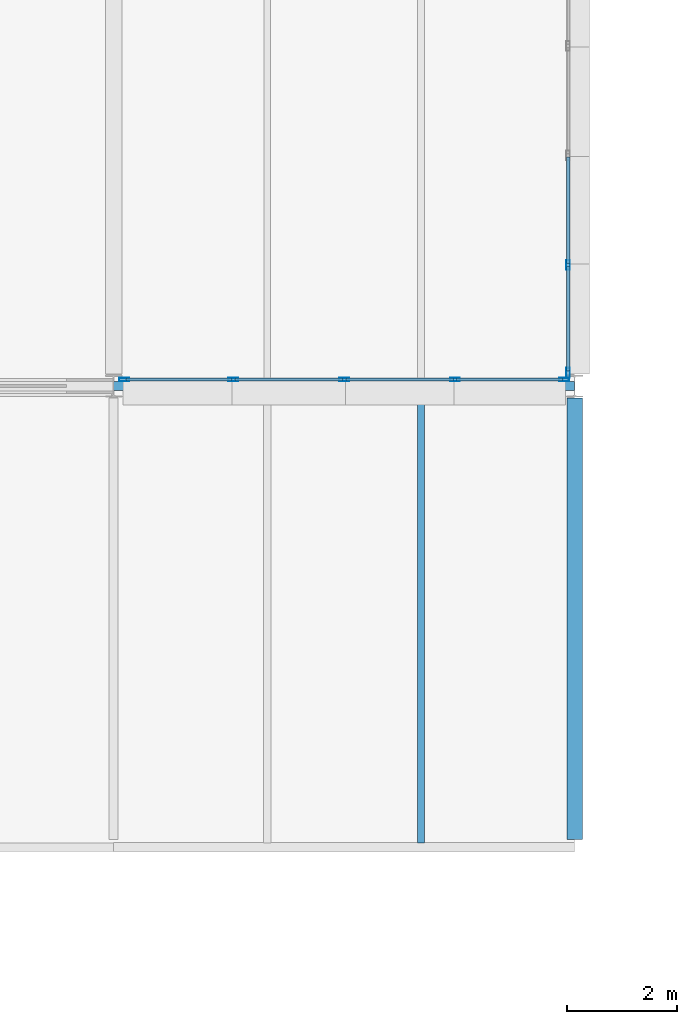
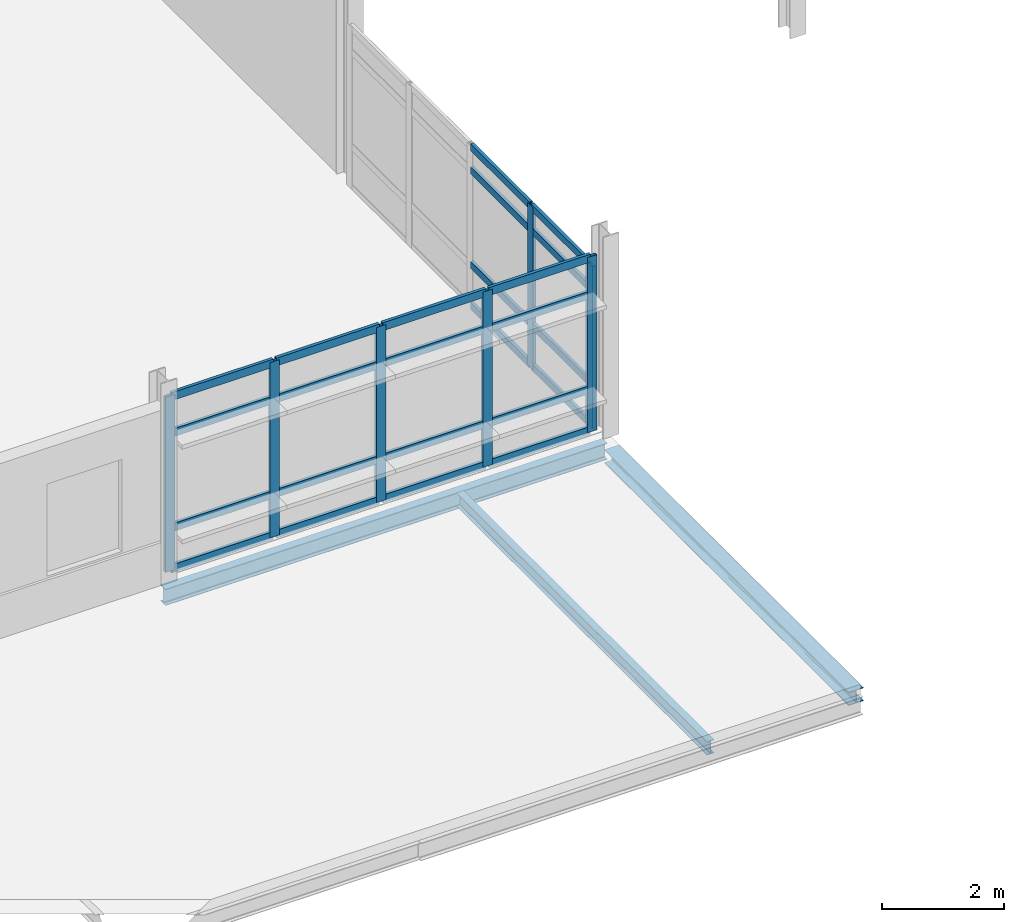
# One storey, part 43 of 151: 31 members, 3 beams, 2 elements without a shape of their own.
"""IFC4 building model written with IfcOpenShell, lengths in metres."""

import ifcopenshell
import ifcopenshell.guid

model = None  # the IFC model being written
_history = None  # IfcOwnerHistory: only IFC2X3 demands one
_inside = {}  # id of a spatial element -> (the spatial element, [elements in it])
_under = {}  # id of a project, library or spatial element -> (it, [spatial elements below it])
_declared = {}  # id of a project -> (the project, [libraries it declares])
_typed = {}  # id of a type object -> (the type object, [elements of that type])
_made_of = {}  # id of a material, layer set ... -> (it, [elements and type objects made of it])


def new_model(schema):
    """Start an empty IFC model of exactly this schema.

    Asked for "IFC4X3", IfcOpenShell would pick the latest addendum, in which some entities
    have other attributes; the version numbers below select the first issue.
    IFC2X3 requires an IfcOwnerHistory on every rooted entity: one is made here for all.
    """
    global model, _history
    if schema == "IFC4X3":
        model = ifcopenshell.file(schema_version=(4, 3, 0, 0))
    else:
        model = ifcopenshell.file(schema=schema)
    _inside.clear()
    _under.clear()
    _declared.clear()
    _typed.clear()
    _made_of.clear()
    _history = None
    if model.schema == "IFC2X3":
        org = make("IfcOrganization", Name="unknown")
        user = make(
            "IfcPersonAndOrganization",
            ThePerson=make("IfcPerson", FamilyName="unknown"),
            TheOrganization=org,
        )
        app = make(
            "IfcApplication",
            ApplicationDeveloper=org,
            Version="unknown",
            ApplicationFullName="unknown",
            ApplicationIdentifier="unknown",
        )
        _history = make(
            "IfcOwnerHistory",
            OwningUser=user,
            OwningApplication=app,
            ChangeAction="ADDED",
            CreationDate=0,
        )
    return model


def make(cls, **values):
    """One entity of the class cls with the attributes given. An attribute that is None is left unset."""
    return model.create_entity(
        cls, **{name: value for name, value in values.items() if value is not None}
    )


def rooted(cls, **values):
    """An entity with a GlobalId (a new one), such as an element, a storey or a relation."""
    return make(cls, GlobalId=ifcopenshell.guid.new(), OwnerHistory=_history, **values)


def si_unit(unit_type, name, prefix=None):
    """IfcSIUnit, for example si_unit("LENGTHUNIT", "METRE", prefix="MILLI")."""
    return make("IfcSIUnit", UnitType=unit_type, Prefix=prefix, Name=name)


def assignment(units):
    """IfcUnitAssignment: the units of a project."""
    return None if units is None else make("IfcUnitAssignment", Units=units)


def point(xyz):
    """IfcCartesianPoint."""
    return None if xyz is None else make("IfcCartesianPoint", Coordinates=xyz)


def direction(xyz):
    """IfcDirection."""
    return None if xyz is None else make("IfcDirection", DirectionRatios=xyz)


def frame(location, z_axis=None, x_axis=None):
    """IfcAxis2Placement3D, a coordinate frame: its origin and axes. An axis left out is left unset."""
    return make(
        "IfcAxis2Placement3D",
        Location=point(location),
        Axis=direction(z_axis),
        RefDirection=direction(x_axis),
    )


def frame_2d(location, x_axis=None):
    """IfcAxis2Placement2D, a coordinate frame in the plane: its origin and x axis."""
    return make(
        "IfcAxis2Placement2D", Location=point(location), RefDirection=direction(x_axis)
    )


def origin():
    """The frame at (0, 0, 0) with its axes left unset."""
    return frame((0.0, 0.0, 0.0))


def origin_2d():
    """The frame at (0, 0) in the plane with its x axis left unset."""
    return frame_2d((0.0, 0.0))


def place(relative_to, where):
    """IfcLocalPlacement: puts the frame where relative to a parent placement (None: the world)."""
    return make(
        "IfcLocalPlacement", PlacementRelTo=relative_to, RelativePlacement=where
    )


def context(
    kind, dimensions, precision=None, world=None, true_north=None, identifier=None
):
    """IfcGeometricRepresentationContext, for example the 3D "Model" context."""
    return make(
        "IfcGeometricRepresentationContext",
        ContextIdentifier=identifier,
        ContextType=kind,
        CoordinateSpaceDimension=dimensions,
        Precision=precision,
        WorldCoordinateSystem=world,
        TrueNorth=true_north,
    )


def subcontext(parent, identifier, kind, view, scale=None):
    """IfcGeometricRepresentationSubContext, for example "Body" below "Model"."""
    return make(
        "IfcGeometricRepresentationSubContext",
        ContextIdentifier=identifier,
        ContextType=kind,
        ParentContext=parent,
        TargetScale=scale,
        TargetView=view,
    )


def project(units=None, contexts=None):
    """IfcProject with its units and contexts."""
    return rooted(
        "IfcProject",
        Name="project",
        RepresentationContexts=contexts,
        UnitsInContext=assignment(units),
    )


def spatial(cls, under=None, at=None, **own):
    """A site, building, storey or space (cls), placed at a placement, below another one or the project."""
    s = rooted(cls, ObjectPlacement=at, **own)
    if under is not None:
        _under.setdefault(under.id(), (under, []))[1].append(s)
    return s


def profile(cls, at=None, kind="AREA", **sizes):
    """A parametric profile (cls). Its sizes go by their IFC names, for example OverallWidth=200.0."""
    return make(cls, ProfileType=kind, Position=at, **sizes)


def hollow_rectangle(**sizes):
    """IfcRectangleHollowProfileDef."""
    return profile("IfcRectangleHollowProfileDef", **sizes)


def i_section(**sizes):
    """IfcIShapeProfileDef."""
    return profile("IfcIShapeProfileDef", **sizes)


def extrude(swept, where, along, depth):
    """IfcExtrudedAreaSolid: the profile swept, set in the frame where, extruded along a direction by depth."""
    return make(
        "IfcExtrudedAreaSolid",
        SweptArea=swept,
        Position=where,
        ExtrudedDirection=direction(along),
        Depth=depth,
    )


def shape(context_of_items, identifier, shape_type, items):
    """IfcShapeRepresentation: the items that make up one representation, for example the "Body"."""
    return make(
        "IfcShapeRepresentation",
        ContextOfItems=context_of_items,
        RepresentationIdentifier=identifier,
        RepresentationType=shape_type,
        Items=items,
    )


def material(Name=None, Category=None):
    """IfcMaterial."""
    return make("IfcMaterial", Name=Name, Category=Category)


def material_profile(
    of_material, cross_section, Name=None, Category=None, Priority=None
):
    """IfcMaterialProfile: a cross section and its material."""
    return make(
        "IfcMaterialProfile",
        Name=Name,
        Material=of_material,
        Profile=cross_section,
        Priority=Priority,
        Category=Category,
    )


def profile_set(profiles, Name=None, composite=None):
    """IfcMaterialProfileSet."""
    return make(
        "IfcMaterialProfileSet",
        Name=Name,
        MaterialProfiles=profiles,
        CompositeProfile=composite,
    )


def made_of(thing, what):
    """Note that an element or type object is made of a material, layer set ...; save() writes the relation."""
    if what is not None:
        _made_of.setdefault(what.id(), (what, []))[1].append(thing)
    return thing


def type_object(cls, material=None, **own):
    """A type object (cls), such as IfcWallType, which elements share."""
    return made_of(rooted(cls, **own), material)


def element(
    cls,
    number,
    at=None,
    inside=None,
    cuts=None,
    type_object=None,
    material=None,
    context=None,
    identifier="Body",
    shape_type=None,
    held_by="IfcProductDefinitionShape",
    body=None,
    shapes=None,
    **own,
):
    """One element of the class cls, such as IfcWall. Its Tag is "e" and its number.

    at: its placement. inside: the storey or other place that contains it. cuts: it is an
    opening in that element (IfcRelVoidsElement). A single representation is given by context,
    identifier, shape_type and body (its items); several are given by shapes. held_by: the class
    of the entity that holds the representations. save() writes the other relations.
    """
    e = rooted(cls, Tag="e%d" % number, ObjectPlacement=at, **own)
    if body is not None:
        shapes = [shape(context, identifier, shape_type, body)]
    if shapes is not None:
        e.Representation = make(held_by, Representations=shapes)
    if inside is not None:
        _inside.setdefault(inside.id(), (inside, []))[1].append(e)
    if cuts is not None:
        rooted(
            "IfcRelVoidsElement", RelatingBuildingElement=cuts, RelatedOpeningElement=e
        )
    if type_object is not None:
        _typed.setdefault(type_object.id(), (type_object, []))[1].append(e)
    return made_of(e, material)


def aggregate(whole, parts):
    """IfcRelAggregates: a whole, such as a stair, and the parts it consists of."""
    return rooted("IfcRelAggregates", RelatingObject=whole, RelatedObjects=parts)


def save(model, path):
    """Write the relations noted so far, then the file.

    IfcRelAggregates (storeys below a building ...), IfcRelContainedInSpatialStructure (elements
    in a storey), IfcRelDefinesByType, IfcRelAssociatesMaterial and IfcRelDeclares: one each for
    every whole, place, type object, material and project.
    """
    for whole, parts in _under.values():
        aggregate(whole, parts)
    for where, things in _inside.values():
        rooted(
            "IfcRelContainedInSpatialStructure",
            RelatedElements=things,
            RelatingStructure=where,
        )
    for kind, things in _typed.values():
        rooted("IfcRelDefinesByType", RelatedObjects=things, RelatingType=kind)
    for what, things in _made_of.values():
        rooted("IfcRelAssociatesMaterial", RelatedObjects=things, RelatingMaterial=what)
    for by, libraries in _declared.values():
        rooted("IfcRelDeclares", RelatingContext=by, RelatedDefinitions=libraries)
    model.write(path)


model = new_model("IFC4")

# Units and contexts
model_context = context("Model", 3, precision=1e-05, world=origin(), true_north=direction((0.0, 1.0)))
body_context = subcontext(model_context, "Body", "Model", "MODEL_VIEW")
ifc_project = project(units=[si_unit("LENGTHUNIT", "METRE"), si_unit("AREAUNIT", "SQUARE_METRE"), si_unit("VOLUMEUNIT", "CUBIC_METRE"), si_unit("PLANEANGLEUNIT", "RADIAN"), si_unit("MASSUNIT", "GRAM", prefix="KILO")], contexts=[model_context])

# Site, building, storey
site_placement = place(None, origin())
site = spatial("IfcSite", under=ifc_project, at=site_placement, CompositionType="ELEMENT")
building_placement = place(site_placement, origin())
building = spatial("IfcBuilding", under=site, at=building_placement, Name="Mersafa Astral City Hall", CompositionType="ELEMENT")
storey_placement = place(building_placement, frame((0.0, 0.0, 9.89990234375)))
storey = spatial("IfcBuildingStorey", under=building, at=storey_placement, Name="L02", CompositionType="ELEMENT", Elevation=9.89990234375)

# Curtain wall, members
ifc_material_1 = material(Name="Anodised bronze aluminium framing", Category="aluminium")
curtain_wall_type_1 = type_object("IfcCurtainWallType", Name="ENV-CW-5", PredefinedType="USERDEFINED", material=ifc_material_1)
curtain_wall_1_placement = place(storey_placement, origin())
curtain_wall_1 = element("IfcCurtainWall", 1, at=curtain_wall_1_placement, inside=storey, type_object=curtain_wall_type_1, Name="L02 Unitised solar curtain wall 136", ObjectType="UNITISED CURTAIN WALL", PredefinedType="USERDEFINED")
ifc_material_profile_1 = material_profile(ifc_material_1, hollow_rectangle(XDim=0.06005859375, YDim=0.179931640625, WallThickness=0.00390625, at=origin_2d()), Name="RHS 60x180x4")
ifc_profile_set_1 = profile_set([ifc_material_profile_1], Name="Anodised bronze aluminium framing")
member_type_1 = type_object("IfcMemberType", Name="ENV-CW-MUL-1", PredefinedType="MULLION", material=ifc_profile_set_1)
member_1_placement = place(storey_placement, frame((33.7919921875, 92.52001953125, -0.001953125), z_axis=(0.0, 0.0, 1.0), x_axis=(0.0, 1.0, 0.0)))
member_1 = element("IfcMember", 2, at=member_1_placement, type_object=member_type_1, Name="CW-5 mullion 1", PredefinedType="MULLION", context=body_context, shape_type="SweptSolid", body=[
    extrude(hollow_rectangle(XDim=0.06005859375, YDim=0.179931640625, WallThickness=0.00390625, at=origin_2d()), origin(), (0.0, 0.0, 1.0), 3.51904296875),
])
member_2_placement = place(storey_placement, frame((35.781005859375, 92.52001953125, -0.001953125), z_axis=(0.0, 0.0, 1.0), x_axis=(0.0, 1.0, 0.0)))
member_2 = element("IfcMember", 3, at=member_2_placement, type_object=member_type_1, Name="CW-5 mullion 2", PredefinedType="MULLION", context=body_context, shape_type="SweptSolid", body=[
    extrude(hollow_rectangle(XDim=0.06005859375, YDim=0.179931640625, WallThickness=0.00390625, at=origin_2d()), origin(), (0.0, 0.0, 1.0), 3.51904296875),
])
member_3_placement = place(storey_placement, frame((37.800048828125, 92.52001953125, -0.001953125), z_axis=(0.0, 0.0, 1.0), x_axis=(0.0, 1.0, 0.0)))
member_3 = element("IfcMember", 4, at=member_3_placement, type_object=member_type_1, Name="CW-5 mullion 3", PredefinedType="MULLION", context=body_context, shape_type="SweptSolid", body=[
    extrude(hollow_rectangle(XDim=0.06005859375, YDim=0.179931640625, WallThickness=0.00390625, at=origin_2d()), origin(), (0.0, 0.0, 1.0), 3.51904296875),
])
member_4_placement = place(storey_placement, frame((39.819091796875, 92.52001953125, -0.001953125), z_axis=(0.0, 0.0, 1.0), x_axis=(0.0, 1.0, 0.0)))
member_4 = element("IfcMember", 5, at=member_4_placement, type_object=member_type_1, Name="CW-5 mullion 4", PredefinedType="MULLION", context=body_context, shape_type="SweptSolid", body=[
    extrude(hollow_rectangle(XDim=0.06005859375, YDim=0.179931640625, WallThickness=0.00390625, at=origin_2d()), origin(), (0.0, 0.0, 1.0), 3.51904296875),
])
member_5_placement = place(storey_placement, frame((41.80810546875, 92.52001953125, -0.001953125), z_axis=(0.0, 0.0, 1.0), x_axis=(0.0, 1.0, 0.0)))
member_5 = element("IfcMember", 6, at=member_5_placement, type_object=member_type_1, Name="CW-5 mullion 5", PredefinedType="MULLION", context=body_context, shape_type="SweptSolid", body=[
    extrude(hollow_rectangle(XDim=0.06005859375, YDim=0.179931640625, WallThickness=0.00390625, at=origin_2d()), origin(), (0.0, 0.0, 1.0), 3.51904296875),
])

curtain_wall_type_2 = type_object("IfcCurtainWallType", Name="ENV-CW-6", PredefinedType="USERDEFINED", material=ifc_material_1)
curtain_wall_2_placement = place(storey_placement, origin())
curtain_wall_2 = element("IfcCurtainWall", 7, at=curtain_wall_2_placement, inside=storey, type_object=curtain_wall_type_2, Name="L02 Unitised solar curtain wall 137", ObjectType="UNITISED CURTAIN WALL", PredefinedType="USERDEFINED")
member_6_placement = place(storey_placement, frame((41.8798828125, 92.64208984375, -0.001953125), z_axis=(0.0, 0.0, 1.0), x_axis=(-1.0, 0.0, 0.0)))
member_6 = element("IfcMember", 8, at=member_6_placement, type_object=member_type_1, Name="CW-6 mullion 1", PredefinedType="MULLION", context=body_context, shape_type="SweptSolid", body=[
    extrude(hollow_rectangle(XDim=0.06005859375, YDim=0.179931640625, WallThickness=0.00390625, at=origin_2d()), origin(), (0.0, 0.0, 1.0), 3.2490234375),
])
member_7_placement = place(storey_placement, frame((41.8798828125, 94.60595703125, -0.001953125), z_axis=(0.0, 0.0, 1.0), x_axis=(-1.0, 0.0, 0.0)))
member_7 = element("IfcMember", 9, at=member_7_placement, type_object=member_type_1, Name="CW-6 mullion 2", PredefinedType="MULLION", context=body_context, shape_type="SweptSolid", body=[
    extrude(hollow_rectangle(XDim=0.06005859375, YDim=0.179931640625, WallThickness=0.00390625, at=origin_2d()), origin(), (0.0, 0.0, 1.0), 3.2490234375),
])
ifc_material_profile_2 = material_profile(ifc_material_1, hollow_rectangle(XDim=0.06005859375, YDim=0.139892578125, WallThickness=0.00390625, at=origin_2d()), Name="RHS 60x140x4")
ifc_profile_set_2 = profile_set([ifc_material_profile_2], Name="Anodised bronze aluminium framing")
member_type_2 = type_object("IfcMemberType", Name="ENV-CW-TRN-1", PredefinedType="USERDEFINED", material=ifc_profile_set_2)
member_8_placement = place(storey_placement, frame((41.8798828125, 92.672119140625, 0.028076171875), z_axis=(0.0, 1.0, 0.0), x_axis=(-1.0, 0.0, 0.0)))
member_8 = element("IfcMember", 10, at=member_8_placement, type_object=member_type_2, Name="CW-6 transom 1.1", ObjectType="TRANSOM", PredefinedType="USERDEFINED", context=body_context, shape_type="SweptSolid", body=[
    extrude(hollow_rectangle(XDim=0.06005859375, YDim=0.139892578125, WallThickness=0.00390625, at=origin_2d()), origin(), (0.0, 0.0, 1.0), 1.90380859375),
])
member_9_placement = place(storey_placement, frame((41.8798828125, 92.672119140625, 0.85009765625), z_axis=(0.0, 1.0, 0.0), x_axis=(-1.0, 0.0, 0.0)))
member_9 = element("IfcMember", 11, at=member_9_placement, type_object=member_type_2, Name="CW-6 transom 1.2", ObjectType="TRANSOM", PredefinedType="USERDEFINED", context=body_context, shape_type="SweptSolid", body=[
    extrude(hollow_rectangle(XDim=0.06005859375, YDim=0.139892578125, WallThickness=0.00390625, at=origin_2d()), origin(), (0.0, 0.0, 1.0), 1.90380859375),
])
member_10_placement = place(storey_placement, frame((41.8798828125, 92.672119140625, 2.75), z_axis=(0.0, 1.0, 0.0), x_axis=(-1.0, 0.0, 0.0)))
member_10 = element("IfcMember", 12, at=member_10_placement, type_object=member_type_2, Name="CW-6 transom 1.3", ObjectType="TRANSOM", PredefinedType="USERDEFINED", context=body_context, shape_type="SweptSolid", body=[
    extrude(hollow_rectangle(XDim=0.06005859375, YDim=0.139892578125, WallThickness=0.00390625, at=origin_2d()), origin(), (0.0, 0.0, 1.0), 1.90380859375),
])
member_11_placement = place(storey_placement, frame((41.8798828125, 92.672119140625, 3.217041015625), z_axis=(0.0, 1.0, 0.0), x_axis=(-1.0, 0.0, 0.0)))
member_11 = element("IfcMember", 13, at=member_11_placement, type_object=member_type_2, Name="CW-6 transom 1.4", ObjectType="TRANSOM", PredefinedType="USERDEFINED", context=body_context, shape_type="SweptSolid", body=[
    extrude(hollow_rectangle(XDim=0.06005859375, YDim=0.139892578125, WallThickness=0.00390625, at=origin_2d()), origin(), (0.0, 0.0, 1.0), 1.90380859375),
])
member_12_placement = place(storey_placement, frame((41.8798828125, 94.635986328125, 0.028076171875), z_axis=(0.0, 1.0, 0.0), x_axis=(-1.0, 0.0, 0.0)))
member_12 = element("IfcMember", 14, at=member_12_placement, type_object=member_type_2, Name="CW-6 transom 2.1", ObjectType="TRANSOM", PredefinedType="USERDEFINED", context=body_context, shape_type="SweptSolid", body=[
    extrude(hollow_rectangle(XDim=0.06005859375, YDim=0.139892578125, WallThickness=0.00390625, at=origin_2d()), origin(), (0.0, 0.0, 1.0), 1.93408203125),
])
member_13_placement = place(storey_placement, frame((41.8798828125, 94.635986328125, 0.85009765625), z_axis=(0.0, 1.0, 0.0), x_axis=(-1.0, 0.0, 0.0)))
member_13 = element("IfcMember", 15, at=member_13_placement, type_object=member_type_2, Name="CW-6 transom 2.2", ObjectType="TRANSOM", PredefinedType="USERDEFINED", context=body_context, shape_type="SweptSolid", body=[
    extrude(hollow_rectangle(XDim=0.06005859375, YDim=0.139892578125, WallThickness=0.00390625, at=origin_2d()), origin(), (0.0, 0.0, 1.0), 1.93408203125),
])
member_14_placement = place(storey_placement, frame((41.8798828125, 94.635986328125, 2.75), z_axis=(0.0, 1.0, 0.0), x_axis=(-1.0, 0.0, 0.0)))
member_14 = element("IfcMember", 16, at=member_14_placement, type_object=member_type_2, Name="CW-6 transom 2.3", ObjectType="TRANSOM", PredefinedType="USERDEFINED", context=body_context, shape_type="SweptSolid", body=[
    extrude(hollow_rectangle(XDim=0.06005859375, YDim=0.139892578125, WallThickness=0.00390625, at=origin_2d()), origin(), (0.0, 0.0, 1.0), 1.93408203125),
])
member_15_placement = place(storey_placement, frame((41.8798828125, 94.635986328125, 3.217041015625), z_axis=(0.0, 1.0, 0.0), x_axis=(-1.0, 0.0, 0.0)))
member_15 = element("IfcMember", 17, at=member_15_placement, type_object=member_type_2, Name="CW-6 transom 2.4", ObjectType="TRANSOM", PredefinedType="USERDEFINED", context=body_context, shape_type="SweptSolid", body=[
    extrude(hollow_rectangle(XDim=0.06005859375, YDim=0.139892578125, WallThickness=0.00390625, at=origin_2d()), origin(), (0.0, 0.0, 1.0), 1.93408203125),
])
aggregate(curtain_wall_2, [member_6, member_7, member_8, member_9, member_10, member_11, member_12, member_13, member_14, member_15])

# Member
ifc_material_profile_3 = material_profile(ifc_material_1, hollow_rectangle(XDim=0.06005859375, YDim=0.159912109375, WallThickness=0.00390625, at=origin_2d()), Name="RHS 60x160x4")
ifc_profile_set_3 = profile_set([ifc_material_profile_3], Name="Anodised bronze aluminium framing")
member_type_3 = type_object("IfcMemberType", Name="ENV-CW-TRN-2", PredefinedType="USERDEFINED", material=ifc_profile_set_3)
member_16_placement = place(storey_placement, frame((33.822021484375, 92.52001953125, 0.028076171875), z_axis=(1.0, 0.0, 0.0), x_axis=(0.0, 1.0, 0.0)))
member_16 = element("IfcMember", 18, at=member_16_placement, type_object=member_type_3, Name="CW-5 transom 1.1", ObjectType="TRANSOM", PredefinedType="USERDEFINED", context=body_context, shape_type="SweptSolid", body=[
    extrude(hollow_rectangle(XDim=0.06005859375, YDim=0.159912109375, WallThickness=0.00390625, at=origin_2d()), origin(), (0.0, 0.0, 1.0), 1.928955078125),
])

member_17_placement = place(storey_placement, frame((33.822021484375, 92.52001953125, 0.85009765625), z_axis=(1.0, 0.0, 0.0), x_axis=(0.0, 1.0, 0.0)))
member_17 = element("IfcMember", 19, at=member_17_placement, type_object=member_type_3, Name="CW-5 transom 1.2", ObjectType="TRANSOM", PredefinedType="USERDEFINED", context=body_context, shape_type="SweptSolid", body=[
    extrude(hollow_rectangle(XDim=0.06005859375, YDim=0.159912109375, WallThickness=0.00390625, at=origin_2d()), origin(), (0.0, 0.0, 1.0), 1.928955078125),
])

member_18_placement = place(storey_placement, frame((33.822021484375, 92.52001953125, 2.75), z_axis=(1.0, 0.0, 0.0), x_axis=(0.0, 1.0, 0.0)))
member_18 = element("IfcMember", 20, at=member_18_placement, type_object=member_type_3, Name="CW-5 transom 1.3", ObjectType="TRANSOM", PredefinedType="USERDEFINED", context=body_context, shape_type="SweptSolid", body=[
    extrude(hollow_rectangle(XDim=0.06005859375, YDim=0.159912109375, WallThickness=0.00390625, at=origin_2d()), origin(), (0.0, 0.0, 1.0), 1.928955078125),
])

member_19_placement = place(storey_placement, frame((33.822021484375, 92.52001953125, 3.487060546875), z_axis=(1.0, 0.0, 0.0), x_axis=(0.0, 1.0, 0.0)))
member_19 = element("IfcMember", 21, at=member_19_placement, type_object=member_type_3, Name="CW-5 transom 1.4", ObjectType="TRANSOM", PredefinedType="USERDEFINED", context=body_context, shape_type="SweptSolid", body=[
    extrude(hollow_rectangle(XDim=0.06005859375, YDim=0.159912109375, WallThickness=0.00390625, at=origin_2d()), origin(), (0.0, 0.0, 1.0), 1.928955078125),
])

member_20_placement = place(storey_placement, frame((35.81103515625, 92.52001953125, 0.028076171875), z_axis=(1.0, 0.0, 0.0), x_axis=(0.0, 1.0, 0.0)))
member_20 = element("IfcMember", 22, at=member_20_placement, type_object=member_type_3, Name="CW-5 transom 2.1", ObjectType="TRANSOM", PredefinedType="USERDEFINED", context=body_context, shape_type="SweptSolid", body=[
    extrude(hollow_rectangle(XDim=0.06005859375, YDim=0.159912109375, WallThickness=0.00390625, at=origin_2d()), origin(), (0.0, 0.0, 1.0), 1.958984375),
])

member_21_placement = place(storey_placement, frame((35.81103515625, 92.52001953125, 0.85009765625), z_axis=(1.0, 0.0, 0.0), x_axis=(0.0, 1.0, 0.0)))
member_21 = element("IfcMember", 23, at=member_21_placement, type_object=member_type_3, Name="CW-5 transom 2.2", ObjectType="TRANSOM", PredefinedType="USERDEFINED", context=body_context, shape_type="SweptSolid", body=[
    extrude(hollow_rectangle(XDim=0.06005859375, YDim=0.159912109375, WallThickness=0.00390625, at=origin_2d()), origin(), (0.0, 0.0, 1.0), 1.958984375),
])

member_22_placement = place(storey_placement, frame((35.81103515625, 92.52001953125, 2.75), z_axis=(1.0, 0.0, 0.0), x_axis=(0.0, 1.0, 0.0)))
member_22 = element("IfcMember", 24, at=member_22_placement, type_object=member_type_3, Name="CW-5 transom 2.3", ObjectType="TRANSOM", PredefinedType="USERDEFINED", context=body_context, shape_type="SweptSolid", body=[
    extrude(hollow_rectangle(XDim=0.06005859375, YDim=0.159912109375, WallThickness=0.00390625, at=origin_2d()), origin(), (0.0, 0.0, 1.0), 1.958984375),
])

member_23_placement = place(storey_placement, frame((35.81103515625, 92.52001953125, 3.487060546875), z_axis=(1.0, 0.0, 0.0), x_axis=(0.0, 1.0, 0.0)))
member_23 = element("IfcMember", 25, at=member_23_placement, type_object=member_type_3, Name="CW-5 transom 2.4", ObjectType="TRANSOM", PredefinedType="USERDEFINED", context=body_context, shape_type="SweptSolid", body=[
    extrude(hollow_rectangle(XDim=0.06005859375, YDim=0.159912109375, WallThickness=0.00390625, at=origin_2d()), origin(), (0.0, 0.0, 1.0), 1.958984375),
])

member_24_placement = place(storey_placement, frame((37.830078125, 92.52001953125, 0.028076171875), z_axis=(1.0, 0.0, 0.0), x_axis=(0.0, 1.0, 0.0)))
member_24 = element("IfcMember", 26, at=member_24_placement, type_object=member_type_3, Name="CW-5 transom 3.1", ObjectType="TRANSOM", PredefinedType="USERDEFINED", context=body_context, shape_type="SweptSolid", body=[
    extrude(hollow_rectangle(XDim=0.06005859375, YDim=0.159912109375, WallThickness=0.00390625, at=origin_2d()), origin(), (0.0, 0.0, 1.0), 1.958984375),
])

member_25_placement = place(storey_placement, frame((37.830078125, 92.52001953125, 0.85009765625), z_axis=(1.0, 0.0, 0.0), x_axis=(0.0, 1.0, 0.0)))
member_25 = element("IfcMember", 27, at=member_25_placement, type_object=member_type_3, Name="CW-5 transom 3.2", ObjectType="TRANSOM", PredefinedType="USERDEFINED", context=body_context, shape_type="SweptSolid", body=[
    extrude(hollow_rectangle(XDim=0.06005859375, YDim=0.159912109375, WallThickness=0.00390625, at=origin_2d()), origin(), (0.0, 0.0, 1.0), 1.958984375),
])

member_26_placement = place(storey_placement, frame((37.830078125, 92.52001953125, 2.75), z_axis=(1.0, 0.0, 0.0), x_axis=(0.0, 1.0, 0.0)))
member_26 = element("IfcMember", 28, at=member_26_placement, type_object=member_type_3, Name="CW-5 transom 3.3", ObjectType="TRANSOM", PredefinedType="USERDEFINED", context=body_context, shape_type="SweptSolid", body=[
    extrude(hollow_rectangle(XDim=0.06005859375, YDim=0.159912109375, WallThickness=0.00390625, at=origin_2d()), origin(), (0.0, 0.0, 1.0), 1.958984375),
])

member_27_placement = place(storey_placement, frame((37.830078125, 92.52001953125, 3.487060546875), z_axis=(1.0, 0.0, 0.0), x_axis=(0.0, 1.0, 0.0)))
member_27 = element("IfcMember", 29, at=member_27_placement, type_object=member_type_3, Name="CW-5 transom 3.4", ObjectType="TRANSOM", PredefinedType="USERDEFINED", context=body_context, shape_type="SweptSolid", body=[
    extrude(hollow_rectangle(XDim=0.06005859375, YDim=0.159912109375, WallThickness=0.00390625, at=origin_2d()), origin(), (0.0, 0.0, 1.0), 1.958984375),
])

member_28_placement = place(storey_placement, frame((39.84912109375, 92.52001953125, 0.028076171875), z_axis=(1.0, 0.0, 0.0), x_axis=(0.0, 1.0, 0.0)))
member_28 = element("IfcMember", 30, at=member_28_placement, type_object=member_type_3, Name="CW-5 transom 4.1", ObjectType="TRANSOM", PredefinedType="USERDEFINED", context=body_context, shape_type="SweptSolid", body=[
    extrude(hollow_rectangle(XDim=0.06005859375, YDim=0.159912109375, WallThickness=0.00390625, at=origin_2d()), origin(), (0.0, 0.0, 1.0), 1.928955078125),
])

member_29_placement = place(storey_placement, frame((39.84912109375, 92.52001953125, 0.85009765625), z_axis=(1.0, 0.0, 0.0), x_axis=(0.0, 1.0, 0.0)))
member_29 = element("IfcMember", 31, at=member_29_placement, type_object=member_type_3, Name="CW-5 transom 4.2", ObjectType="TRANSOM", PredefinedType="USERDEFINED", context=body_context, shape_type="SweptSolid", body=[
    extrude(hollow_rectangle(XDim=0.06005859375, YDim=0.159912109375, WallThickness=0.00390625, at=origin_2d()), origin(), (0.0, 0.0, 1.0), 1.928955078125),
])

member_30_placement = place(storey_placement, frame((39.84912109375, 92.52001953125, 2.75), z_axis=(1.0, 0.0, 0.0), x_axis=(0.0, 1.0, 0.0)))
member_30 = element("IfcMember", 32, at=member_30_placement, type_object=member_type_3, Name="CW-5 transom 4.3", ObjectType="TRANSOM", PredefinedType="USERDEFINED", context=body_context, shape_type="SweptSolid", body=[
    extrude(hollow_rectangle(XDim=0.06005859375, YDim=0.159912109375, WallThickness=0.00390625, at=origin_2d()), origin(), (0.0, 0.0, 1.0), 1.928955078125),
])

member_31_placement = place(storey_placement, frame((39.84912109375, 92.52001953125, 3.487060546875), z_axis=(1.0, 0.0, 0.0), x_axis=(0.0, 1.0, 0.0)))
member_31 = element("IfcMember", 33, at=member_31_placement, type_object=member_type_3, Name="CW-5 transom 4.4", ObjectType="TRANSOM", PredefinedType="USERDEFINED", context=body_context, shape_type="SweptSolid", body=[
    extrude(hollow_rectangle(XDim=0.06005859375, YDim=0.159912109375, WallThickness=0.00390625, at=origin_2d()), origin(), (0.0, 0.0, 1.0), 1.928955078125),
])

aggregate(curtain_wall_1, [member_1, member_2, member_3, member_4, member_5, member_16, member_17, member_18, member_19, member_20, member_21, member_22, member_23, member_24, member_25, member_26, member_27, member_28, member_29, member_30, member_31])

# Beams
ifc_material_2 = material(Name="Steel S355", Category="steel")
ifc_material_profile_4 = material_profile(ifc_material_2, i_section(OverallWidth=0.135009765625, OverallDepth=0.27001953125, WebThickness=0.006591796875, FlangeThickness=0.01025390625, FilletRadius=0.014892578125, at=origin_2d()), Name="IPE 270")
ifc_profile_set_4 = profile_set([ifc_material_profile_4], Name="Steel S355")
beam_type_1 = type_object("IfcBeamType", Name="STR-BM-JOIST-IPE270", PredefinedType="JOIST", material=ifc_profile_set_4)
beam_1_placement = place(storey_placement, frame((39.199951171875, 84.080078125, -0.3349609375), z_axis=(0.0, 1.0, 0.0), x_axis=(-1.0, 0.0, 0.0)))
element("IfcBeam", 34, at=beam_1_placement, inside=storey, type_object=beam_type_1, Name="L02 Flat roof secondary joist 4", PredefinedType="JOIST", context=body_context, shape_type="SweptSolid", body=[
    extrude(i_section(OverallWidth=0.135009765625, OverallDepth=0.27001953125, WebThickness=0.006591796875, FlangeThickness=0.01025390625, FilletRadius=0.014892578125, at=origin_2d()), origin(), (0.0, 0.0, 1.0), 8.244873046875),
])
ifc_material_profile_5 = material_profile(ifc_material_2, i_section(OverallWidth=0.280029296875, OverallDepth=0.27001953125, WebThickness=0.008056640625, FlangeThickness=0.012939453125, FilletRadius=0.02392578125, at=origin_2d()), Name="HEA 280")
ifc_profile_set_5 = profile_set([ifc_material_profile_5], Name="Steel S355")
beam_type_2 = type_object("IfcBeamType", Name="STR-BM-SPANDREL-HEA280", PredefinedType="SPANDREL", material=ifc_profile_set_5)
beam_2_placement = place(storey_placement, frame((42.0, 84.14501953125, -0.3349609375), z_axis=(0.0, 1.0, 0.0), x_axis=(-1.0, 0.0, 0.0)))
element("IfcBeam", 35, at=beam_2_placement, inside=storey, type_object=beam_type_2, Name="L02 Primary girder Y 5-10", PredefinedType="SPANDREL", context=body_context, shape_type="SweptSolid", body=[
    extrude(i_section(OverallWidth=0.280029296875, OverallDepth=0.27001953125, WebThickness=0.008056640625, FlangeThickness=0.012939453125, FilletRadius=0.02392578125, at=origin_2d()), origin(), (0.0, 0.0, 1.0), 8.034912109375),
])
ifc_material_profile_6 = material_profile(ifc_material_2, i_section(OverallWidth=0.159912109375, OverallDepth=0.330078125, WebThickness=0.007568359375, FlangeThickness=0.011474609375, FilletRadius=0.01806640625, at=origin_2d()), Name="IPE 330")
ifc_profile_set_6 = profile_set([ifc_material_profile_6], Name="Steel S355")
beam_type_3 = type_object("IfcBeamType", Name="STR-BM-SPANDREL-IPE330", PredefinedType="SPANDREL", material=ifc_profile_set_6)
beam_3_placement = place(storey_placement, frame((33.60302734375, 92.39990234375, -0.364990234375), z_axis=(1.0, 0.0, 0.0), x_axis=(0.0, 1.0, 0.0)))
element("IfcBeam", 36, at=beam_3_placement, inside=storey, type_object=beam_type_3, Name="L02 Primary girder X 4-11", PredefinedType="SPANDREL", context=body_context, shape_type="SweptSolid", body=[
    extrude(i_section(OverallWidth=0.159912109375, OverallDepth=0.330078125, WebThickness=0.007568359375, FlangeThickness=0.011474609375, FilletRadius=0.01806640625, at=origin_2d()), origin(), (0.0, 0.0, 1.0), 8.39404296875),
])

save(model, "model.ifc")
